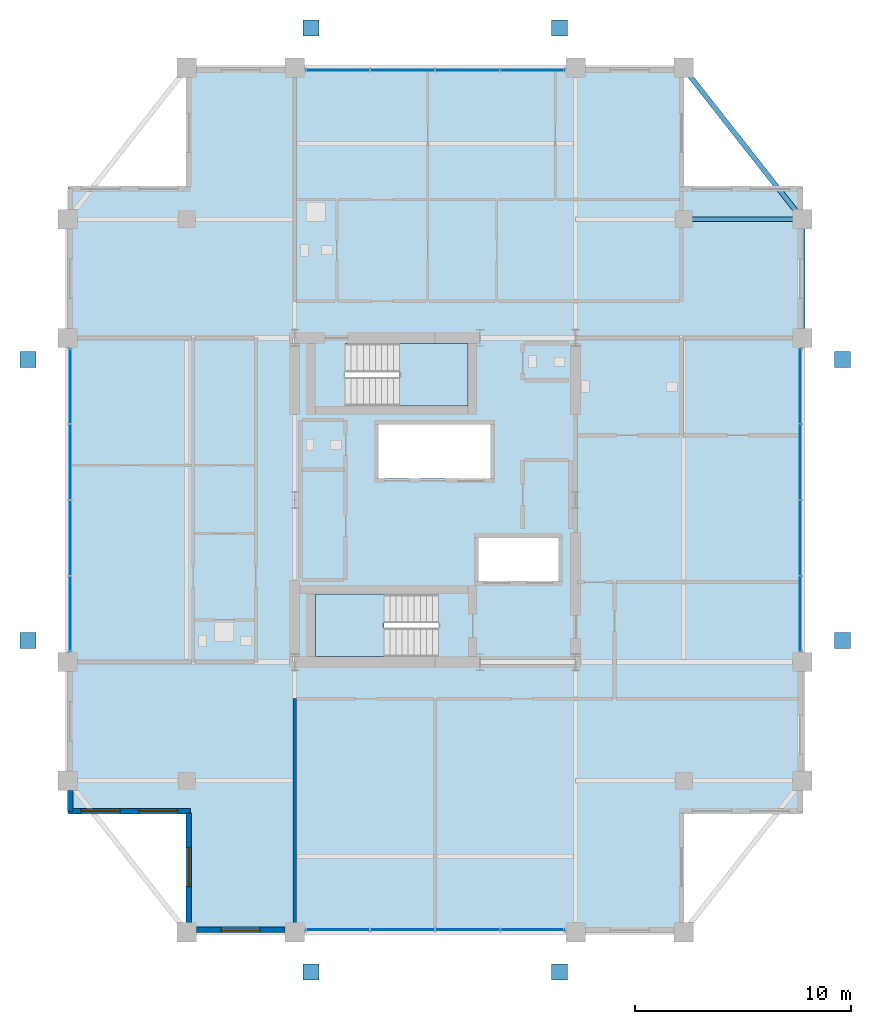
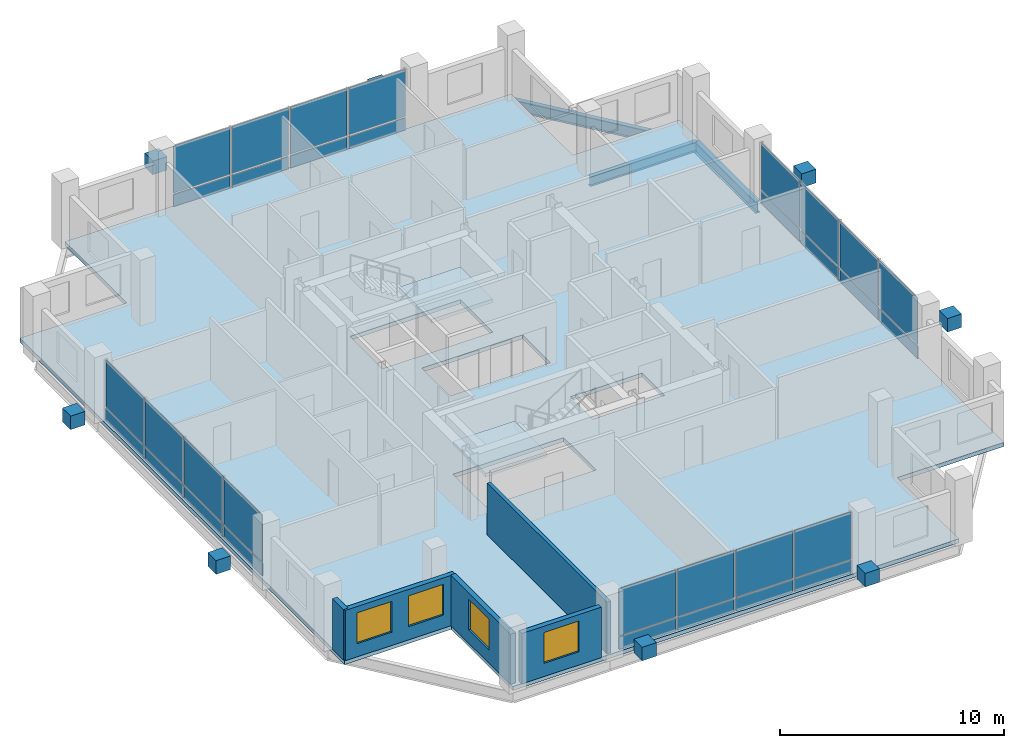
# One storey, part 15 of 21: 40 plates, 5 walls, 4 windows, 3 beams, 3 slabs, 4 openings, 6 elements without a shape of their own.
"""IFC4 building model written with IfcOpenShell, lengths in metres."""

from ifc_helpers import new_model, si_unit, direction, frame, frame_2d, origin, origin_2d, place, context, subcontext, project, spatial, polyline, rectangle, i_section, outline, extrude, material, layer, layer_set, material_profile, profile_set, type_object, element, fill, aggregate, save


model = new_model("IFC4")

# Units and contexts
model_context = context("Model", 3, precision=1e-05, world=origin(), true_north=direction((0.0, 1.0)))
body_context = subcontext(model_context, "Body", "Model", "MODEL_VIEW")
ifc_project = project(units=[si_unit("LENGTHUNIT", "METRE"), si_unit("AREAUNIT", "SQUARE_METRE"), si_unit("VOLUMEUNIT", "CUBIC_METRE"), si_unit("PLANEANGLEUNIT", "RADIAN"), si_unit("MASSUNIT", "GRAM", prefix="KILO")], contexts=[model_context])

# Site, building, storey
site_placement = place(None, origin())
site = spatial("IfcSite", under=ifc_project, at=site_placement, CompositionType="ELEMENT")
building_placement = place(site_placement, origin())
building = spatial("IfcBuilding", under=site, at=building_placement, Name="Barlavira Tower and Art Museum", CompositionType="ELEMENT")
storey_placement = place(building_placement, frame((0.0, 0.0, 222.300048828125)))
storey = spatial("IfcBuildingStorey", under=building, at=storey_placement, Name="L57", CompositionType="ELEMENT", Elevation=222.300048828125)

# Beams
ifc_material_1 = material(Name="Steel S355", Category="steel")
ifc_material_profile_1 = material_profile(ifc_material_1, i_section(OverallWidth=0.22998046875, OverallDepth=0.616943359375, WebThickness=0.01318359375, FlangeThickness=0.022216796875, at=origin_2d()), Name="W610x140.0")
ifc_profile_set_1 = profile_set([ifc_material_profile_1], Name="Steel S355")
beam_type_1 = type_object("IfcBeamType", Name="Upper Shaft Spandrel Edge Beam W610x140 Steel S355", PredefinedType="SPANDREL", material=ifc_profile_set_1)
beam_1_placement = place(storey_placement, frame((17.0, 7.5, -0.528564453125), z_axis=(0.0, 1.0, 0.0), x_axis=(-1.0, 0.0, 0.0)))
element("IfcBeam", 1, at=beam_1_placement, inside=storey, type_object=beam_type_1, Name="L57 Spandrel 7", PredefinedType="SPANDREL", context=body_context, shape_type="SweptSolid", body=[
    extrude(i_section(OverallWidth=0.22998046875, OverallDepth=0.616943359375, WebThickness=0.01318359375, FlangeThickness=0.022216796875, at=origin_2d()), origin(), (0.0, 0.0, 1.0), 5.5),
])
beam_2_placement = place(storey_placement, frame((17.0, 13.0, -0.528564453125), z_axis=(-0.617821551932, 0.786318338822, 0.0), x_axis=(-0.786318338822, -0.617821551932, 0.0)))
element("IfcBeam", 2, at=beam_2_placement, inside=storey, type_object=beam_type_1, Name="L57 Spandrel 8", PredefinedType="SPANDREL", context=body_context, shape_type="SweptSolid", body=[
    extrude(i_section(OverallWidth=0.22998046875, OverallDepth=0.616943359375, WebThickness=0.01318359375, FlangeThickness=0.022216796875, at=origin_2d()), origin(), (0.0, 0.0, 1.0), 8.90234375),
])
ifc_material_profile_2 = material_profile(ifc_material_1, i_section(OverallWidth=0.2109375, OverallDepth=0.5390625, WebThickness=0.01171875, FlangeThickness=0.018798828125, at=origin_2d()), Name="W530x109.0")
ifc_profile_set_2 = profile_set([ifc_material_profile_2], Name="Steel S355")
beam_type_2 = type_object("IfcBeamType", Name="Zone 3-4 Primary Floor Girder W530x109 Steel S355", PredefinedType="BEAM", material=ifc_profile_set_2)
beam_3_placement = place(storey_placement, frame((11.5, 13.0, -0.489501953125), z_axis=(1.0, 0.0, 0.0), x_axis=(0.0, 1.0, 0.0)))
element("IfcBeam", 3, at=beam_3_placement, inside=storey, type_object=beam_type_2, Name="L57 Girder I-N4", PredefinedType="BEAM", context=body_context, shape_type="SweptSolid", body=[
    extrude(i_section(OverallWidth=0.2109375, OverallDepth=0.5390625, WebThickness=0.01171875, FlangeThickness=0.018798828125, at=origin_2d()), origin(), (0.0, 0.0, 1.0), 5.5),
])

# Curtain wall, plates
ifc_material_2 = material(Name="Low-iron coastal laminated glass", Category="glass")
ifc_layer_1 = layer(ifc_material_2, 0.2099609375, Name="Low-iron coastal laminated glass")
ifc_layer_set_1 = layer_set([ifc_layer_1], Name="Low-iron coastal laminated glass")
curtain_wall_type = type_object("IfcCurtainWallType", Name="Pale-Metal Unitised Curtain Wall Zone 4", PredefinedType="NOTDEFINED", material=ifc_layer_set_1)
curtain_wall_1_placement = place(storey_placement, origin())
curtain_wall_1 = element("IfcCurtainWall", 4, at=curtain_wall_1_placement, inside=storey, type_object=curtain_wall_type, Name="L57 Curtain Wall CW4-L57-S-B2", PredefinedType="NOTDEFINED")
ifc_material_3 = material(Name="Pale anodised aluminium", Category="aluminium")
ifc_layer_2 = layer(ifc_material_3, 0.044921875, Name="Pale anodised aluminium")
ifc_layer_set_2 = layer_set([ifc_layer_2], Name="Pale anodised aluminium")
plate_type_1 = type_object("IfcPlateType", Name="Curtain Wall Pale-Metal Spandrel Panel 45", PredefinedType="CURTAIN_PANEL", material=ifc_layer_set_2)
plate_1_placement = place(storey_placement, frame((-4.5224609375, -19.89990234375, 0.0400390625), z_axis=(0.0, 0.0, 1.0), x_axis=(1.0, 0.0, 0.0)))
plate_1 = element("IfcPlate", 5, at=plate_1_placement, type_object=plate_type_1, Name="CW4-L57-S-B2 Spandrel Panel 0", PredefinedType="CURTAIN_PANEL", context=body_context, shape_type="SweptSolid", body=[
    extrude(rectangle(XDim=2.9150390625, YDim=0.044921875, at=origin_2d()), origin(), (0.0, 0.0, 1.0), 0.6640625),
])
plate_2_placement = place(storey_placement, frame((-1.507568359375, -19.89990234375, 0.0400390625), z_axis=(0.0, 0.0, 1.0), x_axis=(1.0, 0.0, 0.0)))
plate_2 = element("IfcPlate", 6, at=plate_2_placement, type_object=plate_type_1, Name="CW4-L57-S-B2 Spandrel Panel 1", PredefinedType="CURTAIN_PANEL", context=body_context, shape_type="SweptSolid", body=[
    extrude(rectangle(XDim=2.9150390625, YDim=0.044921875, at=origin_2d()), origin(), (0.0, 0.0, 1.0), 0.6640625),
])
plate_3_placement = place(storey_placement, frame((1.507568359375, -19.89990234375, 0.0400390625), z_axis=(0.0, 0.0, 1.0), x_axis=(1.0, 0.0, 0.0)))
plate_3 = element("IfcPlate", 7, at=plate_3_placement, type_object=plate_type_1, Name="CW4-L57-S-B2 Spandrel Panel 2", PredefinedType="CURTAIN_PANEL", context=body_context, shape_type="SweptSolid", body=[
    extrude(rectangle(XDim=2.9150390625, YDim=0.044921875, at=origin_2d()), origin(), (0.0, 0.0, 1.0), 0.6640625),
])
plate_4_placement = place(storey_placement, frame((4.5224609375, -19.89990234375, 0.0400390625), z_axis=(0.0, 0.0, 1.0), x_axis=(1.0, 0.0, 0.0)))
plate_4 = element("IfcPlate", 8, at=plate_4_placement, type_object=plate_type_1, Name="CW4-L57-S-B2 Spandrel Panel 3", PredefinedType="CURTAIN_PANEL", context=body_context, shape_type="SweptSolid", body=[
    extrude(rectangle(XDim=2.9150390625, YDim=0.044921875, at=origin_2d()), origin(), (0.0, 0.0, 1.0), 0.6640625),
])

curtain_wall_2_placement = place(storey_placement, origin())
curtain_wall_2 = element("IfcCurtainWall", 9, at=curtain_wall_2_placement, inside=storey, type_object=curtain_wall_type, Name="L57 Curtain Wall CW4-L57-N-B2", PredefinedType="NOTDEFINED")
plate_5_placement = place(storey_placement, frame((4.5224609375, 19.89990234375, 0.0400390625), z_axis=(0.0, 0.0, 1.0), x_axis=(-1.0, 0.0, 0.0)))
plate_5 = element("IfcPlate", 10, at=plate_5_placement, type_object=plate_type_1, Name="CW4-L57-N-B2 Spandrel Panel 0", PredefinedType="CURTAIN_PANEL", context=body_context, shape_type="SweptSolid", body=[
    extrude(rectangle(XDim=2.9150390625, YDim=0.044921875, at=origin_2d()), origin(), (0.0, 0.0, 1.0), 0.6640625),
])
plate_6_placement = place(storey_placement, frame((1.507568359375, 19.89990234375, 0.0400390625), z_axis=(0.0, 0.0, 1.0), x_axis=(-1.0, 0.0, 0.0)))
plate_6 = element("IfcPlate", 11, at=plate_6_placement, type_object=plate_type_1, Name="CW4-L57-N-B2 Spandrel Panel 1", PredefinedType="CURTAIN_PANEL", context=body_context, shape_type="SweptSolid", body=[
    extrude(rectangle(XDim=2.9150390625, YDim=0.044921875, at=origin_2d()), origin(), (0.0, 0.0, 1.0), 0.6640625),
])
plate_7_placement = place(storey_placement, frame((-1.507568359375, 19.89990234375, 0.0400390625), z_axis=(0.0, 0.0, 1.0), x_axis=(-1.0, 0.0, 0.0)))
plate_7 = element("IfcPlate", 12, at=plate_7_placement, type_object=plate_type_1, Name="CW4-L57-N-B2 Spandrel Panel 2", PredefinedType="CURTAIN_PANEL", context=body_context, shape_type="SweptSolid", body=[
    extrude(rectangle(XDim=2.9150390625, YDim=0.044921875, at=origin_2d()), origin(), (0.0, 0.0, 1.0), 0.6640625),
])
plate_8_placement = place(storey_placement, frame((-4.5224609375, 19.89990234375, 0.0400390625), z_axis=(0.0, 0.0, 1.0), x_axis=(-1.0, 0.0, 0.0)))
plate_8 = element("IfcPlate", 13, at=plate_8_placement, type_object=plate_type_1, Name="CW4-L57-N-B2 Spandrel Panel 3", PredefinedType="CURTAIN_PANEL", context=body_context, shape_type="SweptSolid", body=[
    extrude(rectangle(XDim=2.9150390625, YDim=0.044921875, at=origin_2d()), origin(), (0.0, 0.0, 1.0), 0.6640625),
])

curtain_wall_3_placement = place(storey_placement, origin())
curtain_wall_3 = element("IfcCurtainWall", 14, at=curtain_wall_3_placement, inside=storey, type_object=curtain_wall_type, Name="L57 Curtain Wall CW4-L57-W-B3", PredefinedType="NOTDEFINED")
plate_9_placement = place(storey_placement, frame((-16.89990234375, 5.2724609375, 0.0400390625), z_axis=(0.0, 0.0, 1.0), x_axis=(0.0, -1.0, 0.0)))
plate_9 = element("IfcPlate", 15, at=plate_9_placement, type_object=plate_type_1, Name="CW4-L57-W-B3 Spandrel Panel 0", PredefinedType="CURTAIN_PANEL", context=body_context, shape_type="SweptSolid", body=[
    extrude(rectangle(XDim=3.4150390625, YDim=0.044921875, at=origin_2d()), origin(), (0.0, 0.0, 1.0), 0.6640625),
])
plate_10_placement = place(storey_placement, frame((-16.89990234375, 1.757568359375, 0.0400390625), z_axis=(0.0, 0.0, 1.0), x_axis=(0.0, -1.0, 0.0)))
plate_10 = element("IfcPlate", 16, at=plate_10_placement, type_object=plate_type_1, Name="CW4-L57-W-B3 Spandrel Panel 1", PredefinedType="CURTAIN_PANEL", context=body_context, shape_type="SweptSolid", body=[
    extrude(rectangle(XDim=3.4150390625, YDim=0.044921875, at=origin_2d()), origin(), (0.0, 0.0, 1.0), 0.6640625),
])
plate_11_placement = place(storey_placement, frame((-16.89990234375, -1.757568359375, 0.0400390625), z_axis=(0.0, 0.0, 1.0), x_axis=(0.0, -1.0, 0.0)))
plate_11 = element("IfcPlate", 17, at=plate_11_placement, type_object=plate_type_1, Name="CW4-L57-W-B3 Spandrel Panel 2", PredefinedType="CURTAIN_PANEL", context=body_context, shape_type="SweptSolid", body=[
    extrude(rectangle(XDim=3.4150390625, YDim=0.044921875, at=origin_2d()), origin(), (0.0, 0.0, 1.0), 0.6640625),
])
plate_12_placement = place(storey_placement, frame((-16.89990234375, -5.2724609375, 0.0400390625), z_axis=(0.0, 0.0, 1.0), x_axis=(0.0, -1.0, 0.0)))
plate_12 = element("IfcPlate", 18, at=plate_12_placement, type_object=plate_type_1, Name="CW4-L57-W-B3 Spandrel Panel 3", PredefinedType="CURTAIN_PANEL", context=body_context, shape_type="SweptSolid", body=[
    extrude(rectangle(XDim=3.4150390625, YDim=0.044921875, at=origin_2d()), origin(), (0.0, 0.0, 1.0), 0.6640625),
])

curtain_wall_4_placement = place(storey_placement, origin())
curtain_wall_4 = element("IfcCurtainWall", 19, at=curtain_wall_4_placement, inside=storey, type_object=curtain_wall_type, Name="L57 Curtain Wall CW4-L57-E-B3", PredefinedType="NOTDEFINED")
plate_13_placement = place(storey_placement, frame((16.89990234375, -5.2724609375, 0.0400390625), z_axis=(0.0, 0.0, 1.0), x_axis=(0.0, 1.0, 0.0)))
plate_13 = element("IfcPlate", 20, at=plate_13_placement, type_object=plate_type_1, Name="CW4-L57-E-B3 Spandrel Panel 0", PredefinedType="CURTAIN_PANEL", context=body_context, shape_type="SweptSolid", body=[
    extrude(rectangle(XDim=3.4150390625, YDim=0.044921875, at=origin_2d()), origin(), (0.0, 0.0, 1.0), 0.6640625),
])
plate_14_placement = place(storey_placement, frame((16.89990234375, -1.757568359375, 0.0400390625), z_axis=(0.0, 0.0, 1.0), x_axis=(0.0, 1.0, 0.0)))
plate_14 = element("IfcPlate", 21, at=plate_14_placement, type_object=plate_type_1, Name="CW4-L57-E-B3 Spandrel Panel 1", PredefinedType="CURTAIN_PANEL", context=body_context, shape_type="SweptSolid", body=[
    extrude(rectangle(XDim=3.4150390625, YDim=0.044921875, at=origin_2d()), origin(), (0.0, 0.0, 1.0), 0.6640625),
])
plate_15_placement = place(storey_placement, frame((16.89990234375, 1.757568359375, 0.0400390625), z_axis=(0.0, 0.0, 1.0), x_axis=(0.0, 1.0, 0.0)))
plate_15 = element("IfcPlate", 22, at=plate_15_placement, type_object=plate_type_1, Name="CW4-L57-E-B3 Spandrel Panel 2", PredefinedType="CURTAIN_PANEL", context=body_context, shape_type="SweptSolid", body=[
    extrude(rectangle(XDim=3.4150390625, YDim=0.044921875, at=origin_2d()), origin(), (0.0, 0.0, 1.0), 0.6640625),
])
plate_16_placement = place(storey_placement, frame((16.89990234375, 5.2724609375, 0.0400390625), z_axis=(0.0, 0.0, 1.0), x_axis=(0.0, 1.0, 0.0)))
plate_16 = element("IfcPlate", 23, at=plate_16_placement, type_object=plate_type_1, Name="CW4-L57-E-B3 Spandrel Panel 3", PredefinedType="CURTAIN_PANEL", context=body_context, shape_type="SweptSolid", body=[
    extrude(rectangle(XDim=3.4150390625, YDim=0.044921875, at=origin_2d()), origin(), (0.0, 0.0, 1.0), 0.6640625),
])

# Plate
ifc_layer_3 = layer(ifc_material_2, 0.028076171875, Name="Low-iron coastal laminated glass")
ifc_layer_set_3 = layer_set([ifc_layer_3], Name="Low-iron coastal laminated glass")
plate_type_2 = type_object("IfcPlateType", Name="Curtain Wall Vision Glazing Panel 28", PredefinedType="CURTAIN_PANEL", material=ifc_layer_set_3)
plate_17_placement = place(storey_placement, frame((-4.5224609375, -19.89990234375, 0.7841796875), z_axis=(0.0, 0.0, 1.0), x_axis=(1.0, 0.0, 0.0)))
plate_17 = element("IfcPlate", 24, at=plate_17_placement, type_object=plate_type_2, Name="CW4-L57-S-B2 Vision Glass Panel 0", PredefinedType="CURTAIN_PANEL", context=body_context, shape_type="SweptSolid", body=[
    extrude(rectangle(XDim=2.9150390625, YDim=0.028076171875, at=origin_2d()), origin(), (0.0, 0.0, 1.0), 2.555908203125),
])

plate_18_placement = place(storey_placement, frame((-1.507568359375, -19.89990234375, 0.7841796875), z_axis=(0.0, 0.0, 1.0), x_axis=(1.0, 0.0, 0.0)))
plate_18 = element("IfcPlate", 25, at=plate_18_placement, type_object=plate_type_2, Name="CW4-L57-S-B2 Vision Glass Panel 1", PredefinedType="CURTAIN_PANEL", context=body_context, shape_type="SweptSolid", body=[
    extrude(rectangle(XDim=2.9150390625, YDim=0.028076171875, at=origin_2d()), origin(), (0.0, 0.0, 1.0), 2.555908203125),
])

plate_19_placement = place(storey_placement, frame((1.507568359375, -19.89990234375, 0.7841796875), z_axis=(0.0, 0.0, 1.0), x_axis=(1.0, 0.0, 0.0)))
plate_19 = element("IfcPlate", 26, at=plate_19_placement, type_object=plate_type_2, Name="CW4-L57-S-B2 Vision Glass Panel 2", PredefinedType="CURTAIN_PANEL", context=body_context, shape_type="SweptSolid", body=[
    extrude(rectangle(XDim=2.9150390625, YDim=0.028076171875, at=origin_2d()), origin(), (0.0, 0.0, 1.0), 2.555908203125),
])

plate_20_placement = place(storey_placement, frame((4.5224609375, -19.89990234375, 0.7841796875), z_axis=(0.0, 0.0, 1.0), x_axis=(1.0, 0.0, 0.0)))
plate_20 = element("IfcPlate", 27, at=plate_20_placement, type_object=plate_type_2, Name="CW4-L57-S-B2 Vision Glass Panel 3", PredefinedType="CURTAIN_PANEL", context=body_context, shape_type="SweptSolid", body=[
    extrude(rectangle(XDim=2.9150390625, YDim=0.028076171875, at=origin_2d()), origin(), (0.0, 0.0, 1.0), 2.555908203125),
])

aggregate(curtain_wall_1, [plate_1, plate_17, plate_2, plate_18, plate_3, plate_19, plate_4, plate_20])

plate_21_placement = place(storey_placement, frame((4.5224609375, 19.89990234375, 0.7841796875), z_axis=(0.0, 0.0, 1.0), x_axis=(-1.0, 0.0, 0.0)))
plate_21 = element("IfcPlate", 28, at=plate_21_placement, type_object=plate_type_2, Name="CW4-L57-N-B2 Vision Glass Panel 0", PredefinedType="CURTAIN_PANEL", context=body_context, shape_type="SweptSolid", body=[
    extrude(rectangle(XDim=2.9150390625, YDim=0.028076171875, at=origin_2d()), origin(), (0.0, 0.0, 1.0), 2.555908203125),
])

plate_22_placement = place(storey_placement, frame((1.507568359375, 19.89990234375, 0.7841796875), z_axis=(0.0, 0.0, 1.0), x_axis=(-1.0, 0.0, 0.0)))
plate_22 = element("IfcPlate", 29, at=plate_22_placement, type_object=plate_type_2, Name="CW4-L57-N-B2 Vision Glass Panel 1", PredefinedType="CURTAIN_PANEL", context=body_context, shape_type="SweptSolid", body=[
    extrude(rectangle(XDim=2.9150390625, YDim=0.028076171875, at=origin_2d()), origin(), (0.0, 0.0, 1.0), 2.555908203125),
])

plate_23_placement = place(storey_placement, frame((-1.507568359375, 19.89990234375, 0.7841796875), z_axis=(0.0, 0.0, 1.0), x_axis=(-1.0, 0.0, 0.0)))
plate_23 = element("IfcPlate", 30, at=plate_23_placement, type_object=plate_type_2, Name="CW4-L57-N-B2 Vision Glass Panel 2", PredefinedType="CURTAIN_PANEL", context=body_context, shape_type="SweptSolid", body=[
    extrude(rectangle(XDim=2.9150390625, YDim=0.028076171875, at=origin_2d()), origin(), (0.0, 0.0, 1.0), 2.555908203125),
])

plate_24_placement = place(storey_placement, frame((-4.5224609375, 19.89990234375, 0.7841796875), z_axis=(0.0, 0.0, 1.0), x_axis=(-1.0, 0.0, 0.0)))
plate_24 = element("IfcPlate", 31, at=plate_24_placement, type_object=plate_type_2, Name="CW4-L57-N-B2 Vision Glass Panel 3", PredefinedType="CURTAIN_PANEL", context=body_context, shape_type="SweptSolid", body=[
    extrude(rectangle(XDim=2.9150390625, YDim=0.028076171875, at=origin_2d()), origin(), (0.0, 0.0, 1.0), 2.555908203125),
])

aggregate(curtain_wall_2, [plate_5, plate_21, plate_6, plate_22, plate_7, plate_23, plate_8, plate_24])

plate_25_placement = place(storey_placement, frame((-16.89990234375, 5.2724609375, 0.7841796875), z_axis=(0.0, 0.0, 1.0), x_axis=(0.0, -1.0, 0.0)))
plate_25 = element("IfcPlate", 32, at=plate_25_placement, type_object=plate_type_2, Name="CW4-L57-W-B3 Vision Glass Panel 0", PredefinedType="CURTAIN_PANEL", context=body_context, shape_type="SweptSolid", body=[
    extrude(rectangle(XDim=3.4150390625, YDim=0.028076171875, at=origin_2d()), origin(), (0.0, 0.0, 1.0), 2.555908203125),
])

plate_26_placement = place(storey_placement, frame((-16.89990234375, 1.757568359375, 0.7841796875), z_axis=(0.0, 0.0, 1.0), x_axis=(0.0, -1.0, 0.0)))
plate_26 = element("IfcPlate", 33, at=plate_26_placement, type_object=plate_type_2, Name="CW4-L57-W-B3 Vision Glass Panel 1", PredefinedType="CURTAIN_PANEL", context=body_context, shape_type="SweptSolid", body=[
    extrude(rectangle(XDim=3.4150390625, YDim=0.028076171875, at=origin_2d()), origin(), (0.0, 0.0, 1.0), 2.555908203125),
])

plate_27_placement = place(storey_placement, frame((-16.89990234375, -1.757568359375, 0.7841796875), z_axis=(0.0, 0.0, 1.0), x_axis=(0.0, -1.0, 0.0)))
plate_27 = element("IfcPlate", 34, at=plate_27_placement, type_object=plate_type_2, Name="CW4-L57-W-B3 Vision Glass Panel 2", PredefinedType="CURTAIN_PANEL", context=body_context, shape_type="SweptSolid", body=[
    extrude(rectangle(XDim=3.4150390625, YDim=0.028076171875, at=origin_2d()), origin(), (0.0, 0.0, 1.0), 2.555908203125),
])

plate_28_placement = place(storey_placement, frame((-16.89990234375, -5.2724609375, 0.7841796875), z_axis=(0.0, 0.0, 1.0), x_axis=(0.0, -1.0, 0.0)))
plate_28 = element("IfcPlate", 35, at=plate_28_placement, type_object=plate_type_2, Name="CW4-L57-W-B3 Vision Glass Panel 3", PredefinedType="CURTAIN_PANEL", context=body_context, shape_type="SweptSolid", body=[
    extrude(rectangle(XDim=3.4150390625, YDim=0.028076171875, at=origin_2d()), origin(), (0.0, 0.0, 1.0), 2.555908203125),
])

aggregate(curtain_wall_3, [plate_9, plate_25, plate_10, plate_26, plate_11, plate_27, plate_12, plate_28])

plate_29_placement = place(storey_placement, frame((16.89990234375, -5.2724609375, 0.7841796875), z_axis=(0.0, 0.0, 1.0), x_axis=(0.0, 1.0, 0.0)))
plate_29 = element("IfcPlate", 36, at=plate_29_placement, type_object=plate_type_2, Name="CW4-L57-E-B3 Vision Glass Panel 0", PredefinedType="CURTAIN_PANEL", context=body_context, shape_type="SweptSolid", body=[
    extrude(rectangle(XDim=3.4150390625, YDim=0.028076171875, at=origin_2d()), origin(), (0.0, 0.0, 1.0), 2.555908203125),
])

plate_30_placement = place(storey_placement, frame((16.89990234375, -1.757568359375, 0.7841796875), z_axis=(0.0, 0.0, 1.0), x_axis=(0.0, 1.0, 0.0)))
plate_30 = element("IfcPlate", 37, at=plate_30_placement, type_object=plate_type_2, Name="CW4-L57-E-B3 Vision Glass Panel 1", PredefinedType="CURTAIN_PANEL", context=body_context, shape_type="SweptSolid", body=[
    extrude(rectangle(XDim=3.4150390625, YDim=0.028076171875, at=origin_2d()), origin(), (0.0, 0.0, 1.0), 2.555908203125),
])

plate_31_placement = place(storey_placement, frame((16.89990234375, 1.757568359375, 0.7841796875), z_axis=(0.0, 0.0, 1.0), x_axis=(0.0, 1.0, 0.0)))
plate_31 = element("IfcPlate", 38, at=plate_31_placement, type_object=plate_type_2, Name="CW4-L57-E-B3 Vision Glass Panel 2", PredefinedType="CURTAIN_PANEL", context=body_context, shape_type="SweptSolid", body=[
    extrude(rectangle(XDim=3.4150390625, YDim=0.028076171875, at=origin_2d()), origin(), (0.0, 0.0, 1.0), 2.555908203125),
])

plate_32_placement = place(storey_placement, frame((16.89990234375, 5.2724609375, 0.7841796875), z_axis=(0.0, 0.0, 1.0), x_axis=(0.0, 1.0, 0.0)))
plate_32 = element("IfcPlate", 39, at=plate_32_placement, type_object=plate_type_2, Name="CW4-L57-E-B3 Vision Glass Panel 3", PredefinedType="CURTAIN_PANEL", context=body_context, shape_type="SweptSolid", body=[
    extrude(rectangle(XDim=3.4150390625, YDim=0.028076171875, at=origin_2d()), origin(), (0.0, 0.0, 1.0), 2.555908203125),
])

aggregate(curtain_wall_4, [plate_13, plate_29, plate_14, plate_30, plate_15, plate_31, plate_16, plate_32])

# Plates
ifc_layer_4 = layer(ifc_material_1, 0.739990234375, Name="Steel S355")
ifc_layer_set_4 = layer_set([ifc_layer_4], Name="Steel S355")
plate_type_3 = type_object("IfcPlateType", Name="Exoskeleton Solid Steel Node Cap Plate Assembly Type 4 Steel S355", PredefinedType="USERDEFINED", material=ifc_layer_set_4)
for number, where, z_axis, x_axis, name in (
    (40, (-5.75, -21.85009765625, 0.85986328125), (0.0, 0.0, 1.0), (1.0, 0.0, 0.0), "Exoskeleton Diamond Node S1 ND-L57-0631"),
    (41, (5.75, -21.85009765625, 0.85986328125), (0.0, 0.0, 1.0), (1.0, 0.0, 0.0), "Exoskeleton Diamond Node S2 ND-L57-0632"),
    (42, (-5.75, 21.85009765625, 0.85986328125), (0.0, 0.0, 1.0), (1.0, 0.0, 0.0), "Exoskeleton Diamond Node N1 ND-L57-0642"),
    (43, (5.75, 21.85009765625, 0.85986328125), (0.0, 0.0, 1.0), (1.0, 0.0, 0.0), "Exoskeleton Diamond Node N2 ND-L57-0643"),
    (44, (-18.85009765625, -6.5, 0.85986328125), (0.0, 0.0, 1.0), (1.0, 0.0, 0.0), "Exoskeleton Diamond Node W1 ND-L57-0653"),
    (45, (-18.85009765625, 6.5, 0.85986328125), (0.0, 0.0, 1.0), (1.0, 0.0, 0.0), "Exoskeleton Diamond Node W2 ND-L57-0654"),
    (46, (18.85009765625, -6.5, 0.85986328125), (0.0, 0.0, 1.0), (1.0, 0.0, 0.0), "Exoskeleton Diamond Node E1 ND-L57-0664"),
    (47, (18.85009765625, 6.5, 0.85986328125), (0.0, 0.0, 1.0), (1.0, 0.0, 0.0), "Exoskeleton Diamond Node E2 ND-L57-0665"),
):
    element("IfcPlate", number, at=place(storey_placement, frame(where, z_axis=z_axis, x_axis=x_axis)), inside=storey, type_object=plate_type_3, Name=name, ObjectType="FLANGE_PLATE", PredefinedType="USERDEFINED", context=body_context, shape_type="SweptSolid", body=[
        extrude(rectangle(XDim=0.739990234375, YDim=0.739990234375, at=origin_2d()), origin(), (0.0, 0.0, 1.0), 0.739990234375),
    ])

# Stair, slab
ifc_material_4 = material(Name="Concrete C45", Category="concrete")
stair_type_1 = type_object("IfcStairType", Name="Tower North Dog-Leg Exit Stair Assembly Concrete C45", PredefinedType="TWO_QUARTER_TURN_STAIR", material=ifc_material_4)
stair_1_placement = place(storey_placement, origin())
stair_1 = element("IfcStair", 48, at=stair_1_placement, inside=storey, type_object=stair_type_1, Name="L57 Tower North Exit Stair ST-T2", PredefinedType="TWO_QUARTER_TURN_STAIR")
ifc_layer_5 = layer(ifc_material_4, 0.199951171875, Name="Concrete C45")
ifc_layer_set_5 = layer_set([ifc_layer_5], Name="Concrete C45")
slab_type_1 = type_object("IfcSlabType", Name="Tower North Dog-Leg Exit Stair Half-Landing Slab 200 Concrete C45", PredefinedType="LANDING", material=ifc_layer_set_5)
slab_1_placement = place(storey_placement, frame((0.0, 0.0, 1.599853515625)))
slab_1 = element("IfcSlab", 49, at=slab_1_placement, type_object=slab_type_1, Name="ST-T2 landing 1", PredefinedType="LANDING", context=body_context, shape_type="SweptSolid", body=[
    extrude(outline(polyline([(-1.64990234375, 4.35009765625), (1.530029296875, 4.35009765625), (1.530029296875, 7.25), (-1.64990234375, 7.25), (-1.64990234375, 4.35009765625)])), origin(), (0.0, 0.0, 1.0), 0.2001953125),
])
aggregate(stair_1, [slab_1])

stair_type_2 = type_object("IfcStairType", Name="Tower South Dog-Leg Exit Stair Assembly Concrete C45", PredefinedType="TWO_QUARTER_TURN_STAIR", material=ifc_material_4)
stair_2_placement = place(storey_placement, origin())
stair_2 = element("IfcStair", 50, at=stair_2_placement, inside=storey, type_object=stair_type_2, Name="L57 Tower South Exit Stair ST-T1", PredefinedType="TWO_QUARTER_TURN_STAIR")
ifc_layer_6 = layer(ifc_material_4, 0.199951171875, Name="Concrete C45")
ifc_layer_set_6 = layer_set([ifc_layer_6], Name="Concrete C45")
slab_type_2 = type_object("IfcSlabType", Name="Tower South Dog-Leg Exit Stair Half-Landing Slab 200 Concrete C45", PredefinedType="LANDING", material=ifc_layer_set_6)
slab_2_placement = place(storey_placement, frame((0.0, 0.0, 1.599853515625)))
slab_2 = element("IfcSlab", 51, at=slab_2_placement, type_object=slab_type_2, Name="ST-T1 landing 1", PredefinedType="LANDING", context=body_context, shape_type="SweptSolid", body=[
    extrude(outline(polyline([(-2.3701171875, -4.35009765625), (-5.550048828125, -4.35009765625), (-5.550048828125, -7.25), (-2.3701171875, -7.25), (-2.3701171875, -4.35009765625)])), origin(), (0.0, 0.0, 1.0), 0.2001953125),
])
aggregate(stair_2, [slab_2])

# Slab
ifc_material_5 = material(Name="Concrete C50", Category="concrete")
ifc_layer_7 = layer(ifc_material_5, 0.18994140625, Name="Concrete C50")
ifc_layer_set_7 = layer_set([ifc_layer_7], Name="Concrete C50")
slab_type_3 = type_object("IfcSlabType", Name="Zone 4 Residential Composite Slab 190 Concrete C50", PredefinedType="FLOOR", material=ifc_layer_set_7)
slab_3_placement = place(storey_placement, frame((0.0, 0.0, -0.219970703125)))
element("IfcSlab", 52, at=slab_3_placement, inside=storey, type_object=slab_type_3, Name="L57 Tower Floor Slab", PredefinedType="FLOOR", context=body_context, shape_type="SweptSolid", body=[
    extrude(outline(polyline([(-11.5, -20.0), (11.5, -20.0), (11.5, -14.5), (17.0, -14.5), (17.0, 14.5), (11.5, 14.5), (11.5, 20.0), (-11.5, 20.0), (-11.5, 14.5), (-17.0, 14.5), (-17.0, -14.5), (-11.5, -14.5), (-11.5, -20.0)]), holes=[polyline([(0.14990234375, -4.35009765625), (-5.550048828125, -4.35009765625), (-5.550048828125, -7.25), (0.14990234375, -7.25), (0.14990234375, -4.35009765625)]), polyline([(-4.169921875, 4.35009765625), (1.530029296875, 4.35009765625), (1.530029296875, 7.25), (-4.169921875, 7.25), (-4.169921875, 4.35009765625)]), polyline([(-2.6201171875, 1.0), (2.56005859375, 1.0), (2.56005859375, 3.5), (-2.6201171875, 3.5), (-2.6201171875, 1.0)]), polyline([(2.0, -3.75), (5.699951171875, -3.75), (5.699951171875, -1.75), (2.0, -1.75), (2.0, -3.75)])]), origin(), (0.0, 0.0, 1.0), 0.219970703125),
])

# Wall
ifc_material_6 = material(Name="Gypsum acoustic stud partition", Category="gypsum")
ifc_layer_8 = layer(ifc_material_6, 0.179931640625, Name="Gypsum acoustic stud partition")
ifc_layer_set_8 = layer_set([ifc_layer_8], Name="Gypsum acoustic stud partition")
wall_type_1 = type_object("IfcWallType", Name="Inter-Tenancy Party Partition Wall 180", PredefinedType="PARTITIONING", material=ifc_layer_set_8)
wall_1_placement = place(storey_placement, frame((-6.5, -19.89990234375, 0.0), z_axis=(0.0, 0.0, 1.0), x_axis=(0.0, 1.0, 0.0)))
element("IfcWall", 53, at=wall_1_placement, inside=storey, type_object=wall_type_1, Name="L57 Partition Wall 3", PredefinedType="PARTITIONING", context=body_context, shape_type="SweptSolid", body=[
    extrude(rectangle(XDim=10.699951171875, YDim=0.179931640625, at=frame_2d((5.35009765625, 0.0))), origin(), (0.0, 0.0, 1.0), 2.825927734375),
])

# Wall, opening, window
ifc_material_7 = material(Name="Precast concrete C40", Category="concrete")
ifc_layer_9 = layer(ifc_material_7, 0.25, Name="Precast concrete C40")
ifc_layer_set_9 = layer_set([ifc_layer_9], Name="Precast concrete C40")
wall_type_2 = type_object("IfcWallType", Name="Notched Corner Spandrel Wall 250 Precast Concrete C40", PredefinedType="SOLIDWALL", material=ifc_layer_set_9)
wall_2_placement = place(storey_placement, frame((-11.054931640625, -19.89990234375, 0.0), z_axis=(0.0, 0.0, 1.0), x_axis=(1.0, 0.0, 0.0)))
wall_2 = element("IfcWall", 54, at=wall_2_placement, inside=storey, type_object=wall_type_2, Name="L57 Coastal Facade Pier Wall CW4-L57-S-1", PredefinedType="SOLIDWALL", context=body_context, shape_type="SweptSolid", body=[
    extrude(rectangle(XDim=4.10986328125, YDim=0.25, at=frame_2d((2.054931640625, 0.0))), origin(), (0.0, 0.0, 1.0), 2.748046875),
])
opening_1_placement = place(wall_2_placement, frame((1.155029296875, 0.0, 0.719970703125)))
opening_1 = element("IfcOpeningElement", 55, at=opening_1_placement, cuts=wall_2, Name="Opening WN-01", PredefinedType="OPENING", context=body_context, shape_type="SweptSolid", body=[
    extrude(rectangle(XDim=1.800048828125, YDim=1.679931640625, at=frame_2d((0.89990234375, 0.83984375))), frame((0.0, 0.135009765625, 0.0), z_axis=(0.0, -1.0, 0.0), x_axis=(1.0, 0.0, 0.0)), (0.0, 0.0, 1.0), 0.27001953125),
])
window_type = type_object("IfcWindowType", Name="Recessed Notch Corner Punch Window 1800x1680", PartitioningType="SINGLE_PANEL", PredefinedType="WINDOW", material=ifc_material_2)
window_1_placement = place(opening_1_placement, origin())
window_1 = element("IfcWindow", 56, at=window_1_placement, inside=storey, type_object=window_type, Name="L57 Punched Facade Window EWP-CW4-L57-S-1-1", OverallHeight=1.679931640625, OverallWidth=1.800048828125, PartitioningType="SINGLE_PANEL", PredefinedType="WINDOW", context=body_context, shape_type="SweptSolid", body=[
    extrude(rectangle(XDim=1.800048828125, YDim=1.679931640625, at=frame_2d((0.89990234375, 0.83984375))), frame((0.0, 0.030029296875, 0.0), z_axis=(0.0, -1.0, 0.0), x_axis=(1.0, 0.0, 0.0)), (0.0, 0.0, 1.0), 0.06005859375),
])
fill(opening_1, window_1)

# Wall
wall_3_placement = place(storey_placement, frame((-16.89990234375, -13.445068359375, 0.0), z_axis=(0.0, 0.0, 1.0), x_axis=(0.0, -1.0, 0.0)))
element("IfcWall", 57, at=wall_3_placement, inside=storey, type_object=wall_type_2, Name="L57 Coastal Facade Pier Wall CW4-L57-W-5", PredefinedType="SOLIDWALL", context=body_context, shape_type="SweptSolid", body=[
    extrude(rectangle(XDim=0.97998046875, YDim=0.25, at=frame_2d((0.489990234375, 0.0))), origin(), (0.0, 0.0, 1.0), 2.748046875),
])

# Wall, openings, windows
wall_4_placement = place(storey_placement, frame((-16.97998046875, -14.39990234375, 0.0), z_axis=(0.0, 0.0, 1.0), x_axis=(1.0, 0.0, 0.0)))
wall_4 = element("IfcWall", 58, at=wall_4_placement, inside=storey, type_object=wall_type_2, Name="L57 Notch Corner Wall SW1", PredefinedType="SOLIDWALL", context=body_context, shape_type="SweptSolid", body=[
    extrude(rectangle(XDim=5.659912109375, YDim=0.25, at=frame_2d((2.830078125, 0.0))), origin(), (0.0, 0.0, 1.0), 2.748046875),
])
opening_2_placement = place(wall_4_placement, frame((0.594970703125, 0.0, 0.719970703125)))
opening_2 = element("IfcOpeningElement", 59, at=opening_2_placement, cuts=wall_4, Name="Opening WN-01", PredefinedType="OPENING", context=body_context, shape_type="SweptSolid", body=[
    extrude(rectangle(XDim=1.800048828125, YDim=1.679931640625, at=frame_2d((0.89990234375, 0.83984375))), frame((0.0, 0.135009765625, 0.0), z_axis=(0.0, -1.0, 0.0), x_axis=(1.0, 0.0, 0.0)), (0.0, 0.0, 1.0), 0.27001953125),
])
opening_3_placement = place(wall_4_placement, frame((3.264892578125, 0.0, 0.719970703125)))
opening_3 = element("IfcOpeningElement", 60, at=opening_3_placement, cuts=wall_4, Name="Opening WN-01", PredefinedType="OPENING", context=body_context, shape_type="SweptSolid", body=[
    extrude(rectangle(XDim=1.800048828125, YDim=1.679931640625, at=frame_2d((0.89990234375, 0.83984375))), frame((0.0, 0.135009765625, 0.0), z_axis=(0.0, -1.0, 0.0), x_axis=(1.0, 0.0, 0.0)), (0.0, 0.0, 1.0), 0.27001953125),
])
window_2_placement = place(opening_2_placement, origin())
window_2 = element("IfcWindow", 61, at=window_2_placement, inside=storey, type_object=window_type, Name="L57 Punched Facade Window EW-NTC-L57-SW1-1", OverallHeight=1.679931640625, OverallWidth=1.800048828125, PartitioningType="SINGLE_PANEL", PredefinedType="WINDOW", context=body_context, shape_type="SweptSolid", body=[
    extrude(rectangle(XDim=1.800048828125, YDim=1.679931640625, at=frame_2d((0.89990234375, 0.83984375))), frame((0.0, 0.030029296875, 0.0), z_axis=(0.0, -1.0, 0.0), x_axis=(1.0, 0.0, 0.0)), (0.0, 0.0, 1.0), 0.06005859375),
])
fill(opening_2, window_2)
window_3_placement = place(opening_3_placement, origin())
window_3 = element("IfcWindow", 62, at=window_3_placement, inside=storey, type_object=window_type, Name="L57 Punched Facade Window EW-NTC-L57-SW1-2", OverallHeight=1.679931640625, OverallWidth=1.800048828125, PartitioningType="SINGLE_PANEL", PredefinedType="WINDOW", context=body_context, shape_type="SweptSolid", body=[
    extrude(rectangle(XDim=1.800048828125, YDim=1.679931640625, at=frame_2d((0.89990234375, 0.83984375))), frame((0.0, 0.030029296875, 0.0), z_axis=(0.0, -1.0, 0.0), x_axis=(1.0, 0.0, 0.0)), (0.0, 0.0, 1.0), 0.06005859375),
])
fill(opening_3, window_3)

# Wall, opening, window
wall_5_placement = place(storey_placement, frame((-11.39990234375, -14.47998046875, 0.0), z_axis=(0.0, 0.0, 1.0), x_axis=(0.0, -1.0, 0.0)))
wall_5 = element("IfcWall", 63, at=wall_5_placement, inside=storey, type_object=wall_type_2, Name="L57 Notch Corner Wall SW2", PredefinedType="SOLIDWALL", context=body_context, shape_type="SweptSolid", body=[
    extrude(rectangle(XDim=5.340087890625, YDim=0.25, at=frame_2d((2.669921875, 0.0))), origin(), (0.0, 0.0, 1.0), 2.748046875),
])
opening_4_placement = place(wall_5_placement, frame((1.614990234375, 0.0, 0.719970703125)))
opening_4 = element("IfcOpeningElement", 64, at=opening_4_placement, cuts=wall_5, Name="Opening WN-01", PredefinedType="OPENING", context=body_context, shape_type="SweptSolid", body=[
    extrude(rectangle(XDim=1.800048828125, YDim=1.679931640625, at=frame_2d((0.89990234375, 0.83984375))), frame((0.0, 0.135009765625, 0.0), z_axis=(0.0, -1.0, 0.0), x_axis=(1.0, 0.0, 0.0)), (0.0, 0.0, 1.0), 0.27001953125),
])
window_4_placement = place(opening_4_placement, origin())
window_4 = element("IfcWindow", 65, at=window_4_placement, inside=storey, type_object=window_type, Name="L57 Punched Facade Window EW-NTC-L57-SW2-1", OverallHeight=1.679931640625, OverallWidth=1.800048828125, PartitioningType="SINGLE_PANEL", PredefinedType="WINDOW", context=body_context, shape_type="SweptSolid", body=[
    extrude(rectangle(XDim=1.800048828125, YDim=1.679931640625, at=frame_2d((0.89990234375, 0.83984375))), frame((0.0, 0.030029296875, 0.0), z_axis=(0.0, -1.0, 0.0), x_axis=(1.0, 0.0, 0.0)), (0.0, 0.0, 1.0), 0.06005859375),
])
fill(opening_4, window_4)

save(model, "model.ifc")
